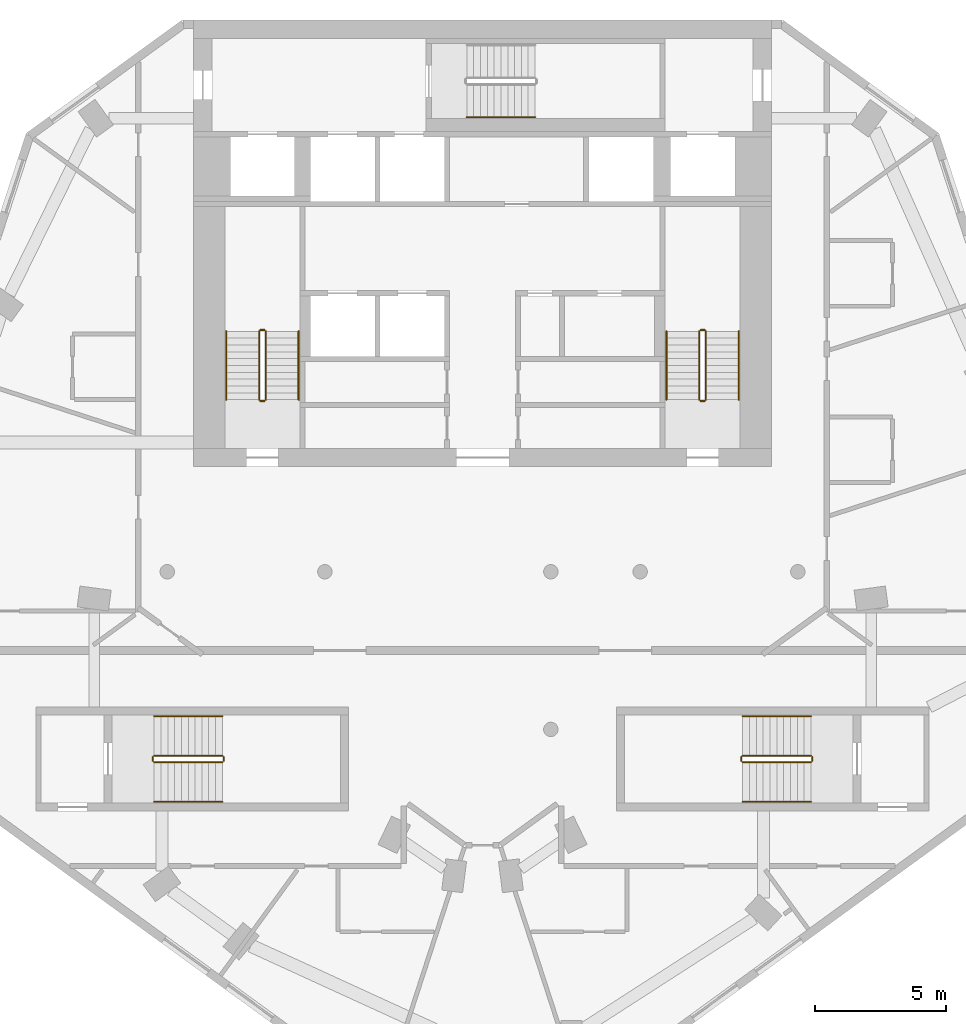
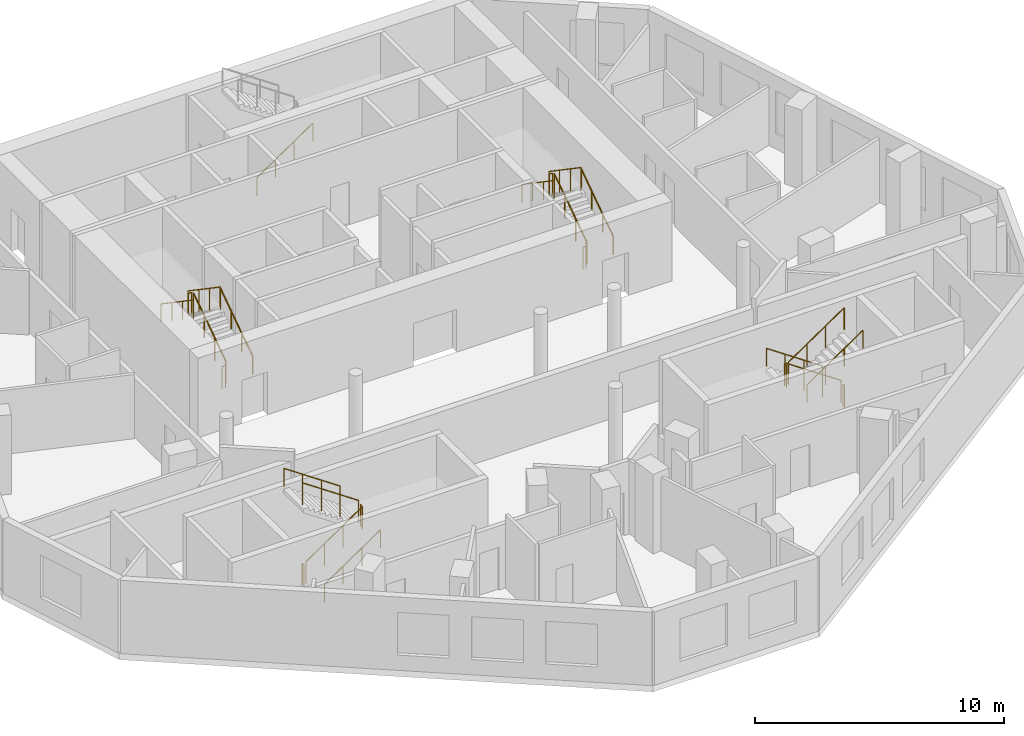
# One storey, part 7 of 8: 25 railings.
"""IFC4 building model written with IfcOpenShell, lengths in metres."""

from ifc_helpers import new_model, si_unit, direction, frame, origin, origin_2d, place, context, subcontext, project, spatial, circle, extrude, material, type_object, element, save


model = new_model("IFC4")

# Units and contexts
model_context = context("Model", 3, precision=1e-05, world=origin(), true_north=direction((0.0, 1.0)))
body_context = subcontext(model_context, "Body", "Model", "MODEL_VIEW")
ifc_project = project(units=[si_unit("LENGTHUNIT", "METRE"), si_unit("AREAUNIT", "SQUARE_METRE"), si_unit("VOLUMEUNIT", "CUBIC_METRE"), si_unit("PLANEANGLEUNIT", "RADIAN"), si_unit("MASSUNIT", "GRAM", prefix="KILO")], contexts=[model_context])

# Site, building, storey
site_placement = place(None, origin())
site = spatial("IfcSite", under=ifc_project, at=site_placement, CompositionType="ELEMENT")
building_placement = place(site_placement, origin())
building = spatial("IfcBuilding", under=site, at=building_placement, Name="White Candle Pilgrim Tower", CompositionType="ELEMENT")
storey_placement = place(building_placement, frame((0.0, 0.0, 275.60009765625)))
storey = spatial("IfcBuildingStorey", under=building, at=storey_placement, Name="L65", CompositionType="ELEMENT", Elevation=275.60009765625)

# Railings
ifc_material = material(Name="Stainless steel", Category="steel")
railing_type_1 = type_object("IfcRailingType", Name="Stair guard stainless steel 1100 mm", PredefinedType="GUARDRAIL", material=ifc_material)
railing_1_placement = place(storey_placement, frame((61.75, 73.550048828125, 0.17724609375)))
element("IfcRailing", 1, at=railing_1_placement, inside=storey, type_object=railing_type_1, Name="L65 ST1 stair guard 1", PredefinedType="GUARDRAIL", context=body_context, shape_type="SweptSolid", body=[
    extrude(circle(Radius=0.02392578125, at=origin_2d()), frame((0.0, 0.0, 1.076171875), z_axis=(0.0, 0.826215852431, 0.563353676824), x_axis=(-1.0, 0.0, 0.0)), (0.0, 0.0, 1.0), 3.146728515625),
    extrude(circle(Radius=0.02099609375, at=origin_2d()), origin(), (0.0, 0.0, 1.0), 1.052001953125),
    extrude(circle(Radius=0.02099609375, at=origin_2d()), frame((0.0, 0.86669921875, 0.5908203125)), (0.0, 0.0, 1.0), 1.052001953125),
    extrude(circle(Radius=0.02099609375, at=origin_2d()), frame((0.0, 1.733154296875, 1.181884765625)), (0.0, 0.0, 1.0), 1.052001953125),
    extrude(circle(Radius=0.02099609375, at=origin_2d()), frame((0.0, 2.599853515625, 1.772705078125)), (0.0, 0.0, 1.0), 1.052001953125),
])
railing_2_placement = place(storey_placement, frame((61.699951171875, 76.199951171875, 1.949951171875)))
element("IfcRailing", 2, at=railing_2_placement, inside=storey, type_object=railing_type_1, Name="L65 ST1 stair guard 2", PredefinedType="GUARDRAIL", context=body_context, shape_type="SweptSolid", body=[
    extrude(circle(Radius=0.02392578125, at=origin_2d()), frame((0.0, 0.0, 1.076171875), z_axis=(-1.0, 0.0, 0.0), x_axis=(0.0, -1.0, 0.0)), (0.0, 0.0, 1.0), 0.14990234375),
    extrude(circle(Radius=0.02099609375, at=origin_2d()), origin(), (0.0, 0.0, 1.0), 1.052001953125),
    extrude(circle(Radius=0.02099609375, at=origin_2d()), frame((-0.14990234375, 0.0, 0.0)), (0.0, 0.0, 1.0), 1.052001953125),
])
railing_3_placement = place(storey_placement, frame((61.5, 76.14990234375, 2.127197265625)))
element("IfcRailing", 3, at=railing_3_placement, inside=storey, type_object=railing_type_1, Name="L65 ST1 stair guard 3", PredefinedType="GUARDRAIL", context=body_context, shape_type="SweptSolid", body=[
    extrude(circle(Radius=0.02392578125, at=origin_2d()), frame((0.0, 0.0, 1.076171875), z_axis=(0.0, -0.826215852431, 0.563353676824), x_axis=(1.0, 0.0, 0.0)), (0.0, 0.0, 1.0), 3.146728515625),
    extrude(circle(Radius=0.02099609375, at=origin_2d()), origin(), (0.0, 0.0, 1.0), 1.052001953125),
    extrude(circle(Radius=0.02099609375, at=origin_2d()), frame((0.0, -0.86669921875, 0.5908203125)), (0.0, 0.0, 1.0), 1.052001953125),
    extrude(circle(Radius=0.02099609375, at=origin_2d()), frame((0.0, -1.733154296875, 1.181884765625)), (0.0, 0.0, 1.0), 1.052001953125),
    extrude(circle(Radius=0.02099609375, at=origin_2d()), frame((0.0, -2.599853515625, 1.772705078125)), (0.0, 0.0, 1.0), 1.052001953125),
])
railing_4_placement = place(storey_placement, frame((61.699951171875, 73.5, 0.0)))
element("IfcRailing", 4, at=railing_4_placement, inside=storey, type_object=railing_type_1, Name="L65 ST1 stair guard 4", PredefinedType="GUARDRAIL", context=body_context, shape_type="SweptSolid", body=[
    extrude(circle(Radius=0.02392578125, at=origin_2d()), frame((0.0, 0.0, 1.076171875), z_axis=(-1.0, 0.0, 0.0), x_axis=(0.0, -1.0, 0.0)), (0.0, 0.0, 1.0), 0.14990234375),
    extrude(circle(Radius=0.02099609375, at=origin_2d()), origin(), (0.0, 0.0, 1.0), 1.052001953125),
    extrude(circle(Radius=0.02099609375, at=origin_2d()), frame((-0.14990234375, 0.0, 0.0)), (0.0, 0.0, 1.0), 1.052001953125),
])
railing_5_placement = place(storey_placement, frame((78.5, 73.550048828125, 0.17724609375)))
element("IfcRailing", 5, at=railing_5_placement, inside=storey, type_object=railing_type_1, Name="L65 ST2 stair guard 1", PredefinedType="GUARDRAIL", context=body_context, shape_type="SweptSolid", body=[
    extrude(circle(Radius=0.02392578125, at=origin_2d()), frame((0.0, 0.0, 1.076171875), z_axis=(0.0, 0.826215852431, 0.563353676824), x_axis=(-1.0, 0.0, 0.0)), (0.0, 0.0, 1.0), 3.146728515625),
    extrude(circle(Radius=0.02099609375, at=origin_2d()), origin(), (0.0, 0.0, 1.0), 1.052001953125),
    extrude(circle(Radius=0.02099609375, at=origin_2d()), frame((0.0, 0.86669921875, 0.5908203125)), (0.0, 0.0, 1.0), 1.052001953125),
    extrude(circle(Radius=0.02099609375, at=origin_2d()), frame((0.0, 1.733154296875, 1.181884765625)), (0.0, 0.0, 1.0), 1.052001953125),
    extrude(circle(Radius=0.02099609375, at=origin_2d()), frame((0.0, 2.599853515625, 1.772705078125)), (0.0, 0.0, 1.0), 1.052001953125),
])
railing_6_placement = place(storey_placement, frame((78.449951171875, 76.199951171875, 1.949951171875)))
element("IfcRailing", 6, at=railing_6_placement, inside=storey, type_object=railing_type_1, Name="L65 ST2 stair guard 2", PredefinedType="GUARDRAIL", context=body_context, shape_type="SweptSolid", body=[
    extrude(circle(Radius=0.02392578125, at=origin_2d()), frame((0.0, 0.0, 1.076171875), z_axis=(-1.0, 0.0, 0.0), x_axis=(0.0, -1.0, 0.0)), (0.0, 0.0, 1.0), 0.14990234375),
    extrude(circle(Radius=0.02099609375, at=origin_2d()), origin(), (0.0, 0.0, 1.0), 1.052001953125),
    extrude(circle(Radius=0.02099609375, at=origin_2d()), frame((-0.14990234375, 0.0, 0.0)), (0.0, 0.0, 1.0), 1.052001953125),
])
railing_7_placement = place(storey_placement, frame((78.25, 76.14990234375, 2.127197265625)))
element("IfcRailing", 7, at=railing_7_placement, inside=storey, type_object=railing_type_1, Name="L65 ST2 stair guard 3", PredefinedType="GUARDRAIL", context=body_context, shape_type="SweptSolid", body=[
    extrude(circle(Radius=0.02392578125, at=origin_2d()), frame((0.0, 0.0, 1.076171875), z_axis=(0.0, -0.826215852431, 0.563353676824), x_axis=(1.0, 0.0, 0.0)), (0.0, 0.0, 1.0), 3.146728515625),
    extrude(circle(Radius=0.02099609375, at=origin_2d()), origin(), (0.0, 0.0, 1.0), 1.052001953125),
    extrude(circle(Radius=0.02099609375, at=origin_2d()), frame((0.0, -0.86669921875, 0.5908203125)), (0.0, 0.0, 1.0), 1.052001953125),
    extrude(circle(Radius=0.02099609375, at=origin_2d()), frame((0.0, -1.733154296875, 1.181884765625)), (0.0, 0.0, 1.0), 1.052001953125),
    extrude(circle(Radius=0.02099609375, at=origin_2d()), frame((0.0, -2.599853515625, 1.772705078125)), (0.0, 0.0, 1.0), 1.052001953125),
])
railing_8_placement = place(storey_placement, frame((78.449951171875, 73.5, 0.0)))
element("IfcRailing", 8, at=railing_8_placement, inside=storey, type_object=railing_type_1, Name="L65 ST2 stair guard 4", PredefinedType="GUARDRAIL", context=body_context, shape_type="SweptSolid", body=[
    extrude(circle(Radius=0.02392578125, at=origin_2d()), frame((0.0, 0.0, 1.076171875), z_axis=(-1.0, 0.0, 0.0), x_axis=(0.0, -1.0, 0.0)), (0.0, 0.0, 1.0), 0.14990234375),
    extrude(circle(Radius=0.02099609375, at=origin_2d()), origin(), (0.0, 0.0, 1.0), 1.052001953125),
    extrude(circle(Radius=0.02099609375, at=origin_2d()), frame((-0.14990234375, 0.0, 0.0)), (0.0, 0.0, 1.0), 1.052001953125),
])
railing_9_placement = place(storey_placement, frame((82.5, 60.0, 0.17724609375)))
element("IfcRailing", 9, at=railing_9_placement, inside=storey, type_object=railing_type_1, Name="L65 ST4 stair guard 1", PredefinedType="GUARDRAIL", context=body_context, shape_type="SweptSolid", body=[
    extrude(circle(Radius=0.02392578125, at=origin_2d()), frame((0.0, 0.0, 1.076171875), z_axis=(-0.826240473404, 0.0, 0.563317565952), x_axis=(0.0, -1.0, 0.0)), (0.0, 0.0, 1.0), 3.14697265625),
    extrude(circle(Radius=0.02099609375, at=origin_2d()), origin(), (0.0, 0.0, 1.0), 1.052001953125),
    extrude(circle(Radius=0.02099609375, at=origin_2d()), frame((-0.86669921875, 0.0, 0.5908203125)), (0.0, 0.0, 1.0), 1.052001953125),
    extrude(circle(Radius=0.02099609375, at=origin_2d()), frame((-1.7333984375, 0.0, 1.181884765625)), (0.0, 0.0, 1.0), 1.052001953125),
    extrude(circle(Radius=0.02099609375, at=origin_2d()), frame((-2.60009765625, 0.0, 1.772705078125)), (0.0, 0.0, 1.0), 1.052001953125),
])
railing_10_placement = place(storey_placement, frame((79.85009765625, 59.949951171875, 1.949951171875)))
element("IfcRailing", 10, at=railing_10_placement, inside=storey, type_object=railing_type_1, Name="L65 ST4 stair guard 2", PredefinedType="GUARDRAIL", context=body_context, shape_type="SweptSolid", body=[
    extrude(circle(Radius=0.02392578125, at=origin_2d()), frame((0.0, 0.0, 1.076171875), z_axis=(0.0, -1.0, 0.0), x_axis=(1.0, 0.0, 0.0)), (0.0, 0.0, 1.0), 0.14990234375),
    extrude(circle(Radius=0.02099609375, at=origin_2d()), origin(), (0.0, 0.0, 1.0), 1.052001953125),
    extrude(circle(Radius=0.02099609375, at=origin_2d()), frame((0.0, -0.14990234375, 0.0)), (0.0, 0.0, 1.0), 1.052001953125),
])
railing_11_placement = place(storey_placement, frame((79.89990234375, 59.75, 2.127197265625)))
element("IfcRailing", 11, at=railing_11_placement, inside=storey, type_object=railing_type_1, Name="L65 ST4 stair guard 3", PredefinedType="GUARDRAIL", context=body_context, shape_type="SweptSolid", body=[
    extrude(circle(Radius=0.02392578125, at=origin_2d()), frame((0.0, 0.0, 1.076171875), z_axis=(0.826240473404, 0.0, 0.563317565952), x_axis=(0.0, 1.0, 0.0)), (0.0, 0.0, 1.0), 3.14697265625),
    extrude(circle(Radius=0.02099609375, at=origin_2d()), origin(), (0.0, 0.0, 1.0), 1.052001953125),
    extrude(circle(Radius=0.02099609375, at=origin_2d()), frame((0.86669921875, 0.0, 0.5908203125)), (0.0, 0.0, 1.0), 1.052001953125),
    extrude(circle(Radius=0.02099609375, at=origin_2d()), frame((1.7333984375, 0.0, 1.181884765625)), (0.0, 0.0, 1.0), 1.052001953125),
    extrude(circle(Radius=0.02099609375, at=origin_2d()), frame((2.60009765625, 0.0, 1.772705078125)), (0.0, 0.0, 1.0), 1.052001953125),
])
railing_12_placement = place(storey_placement, frame((82.550048828125, 59.949951171875, 0.0)))
element("IfcRailing", 12, at=railing_12_placement, inside=storey, type_object=railing_type_1, Name="L65 ST4 stair guard 4", PredefinedType="GUARDRAIL", context=body_context, shape_type="SweptSolid", body=[
    extrude(circle(Radius=0.02392578125, at=origin_2d()), frame((0.0, 0.0, 1.076171875), z_axis=(0.0, -1.0, 0.0), x_axis=(1.0, 0.0, 0.0)), (0.0, 0.0, 1.0), 0.14990234375),
    extrude(circle(Radius=0.02099609375, at=origin_2d()), origin(), (0.0, 0.0, 1.0), 1.052001953125),
    extrude(circle(Radius=0.02099609375, at=origin_2d()), frame((0.0, -0.14990234375, 0.0)), (0.0, 0.0, 1.0), 1.052001953125),
])
railing_13_placement = place(storey_placement, frame((57.5, 59.75, 0.17724609375)))
element("IfcRailing", 13, at=railing_13_placement, inside=storey, type_object=railing_type_1, Name="L65 ST5 stair guard 1", PredefinedType="GUARDRAIL", context=body_context, shape_type="SweptSolid", body=[
    extrude(circle(Radius=0.02392578125, at=origin_2d()), frame((0.0, 0.0, 1.076171875), z_axis=(0.826240473404, 0.0, 0.563317565952), x_axis=(0.0, 1.0, 0.0)), (0.0, 0.0, 1.0), 3.14697265625),
    extrude(circle(Radius=0.02099609375, at=origin_2d()), origin(), (0.0, 0.0, 1.0), 1.052001953125),
    extrude(circle(Radius=0.02099609375, at=origin_2d()), frame((0.86669921875, 0.0, 0.5908203125)), (0.0, 0.0, 1.0), 1.052001953125),
    extrude(circle(Radius=0.02099609375, at=origin_2d()), frame((1.7333984375, 0.0, 1.181884765625)), (0.0, 0.0, 1.0), 1.052001953125),
    extrude(circle(Radius=0.02099609375, at=origin_2d()), frame((2.60009765625, 0.0, 1.772705078125)), (0.0, 0.0, 1.0), 1.052001953125),
])
railing_14_placement = place(storey_placement, frame((60.14990234375, 59.800048828125, 1.949951171875)))
element("IfcRailing", 14, at=railing_14_placement, inside=storey, type_object=railing_type_1, Name="L65 ST5 stair guard 2", PredefinedType="GUARDRAIL", context=body_context, shape_type="SweptSolid", body=[
    extrude(circle(Radius=0.02392578125, at=origin_2d()), frame((0.0, 0.0, 1.076171875), z_axis=(0.0, 1.0, 0.0), x_axis=(-1.0, 0.0, 0.0)), (0.0, 0.0, 1.0), 0.14990234375),
    extrude(circle(Radius=0.02099609375, at=origin_2d()), origin(), (0.0, 0.0, 1.0), 1.052001953125),
    extrude(circle(Radius=0.02099609375, at=origin_2d()), frame((0.0, 0.14990234375, 0.0)), (0.0, 0.0, 1.0), 1.052001953125),
])
railing_15_placement = place(storey_placement, frame((60.10009765625, 60.0, 2.127197265625)))
element("IfcRailing", 15, at=railing_15_placement, inside=storey, type_object=railing_type_1, Name="L65 ST5 stair guard 3", PredefinedType="GUARDRAIL", context=body_context, shape_type="SweptSolid", body=[
    extrude(circle(Radius=0.02392578125, at=origin_2d()), frame((0.0, 0.0, 1.076171875), z_axis=(-0.826240473404, 0.0, 0.563317565952), x_axis=(0.0, -1.0, 0.0)), (0.0, 0.0, 1.0), 3.14697265625),
    extrude(circle(Radius=0.02099609375, at=origin_2d()), origin(), (0.0, 0.0, 1.0), 1.052001953125),
    extrude(circle(Radius=0.02099609375, at=origin_2d()), frame((-0.86669921875, 0.0, 0.5908203125)), (0.0, 0.0, 1.0), 1.052001953125),
    extrude(circle(Radius=0.02099609375, at=origin_2d()), frame((-1.7333984375, 0.0, 1.181884765625)), (0.0, 0.0, 1.0), 1.052001953125),
    extrude(circle(Radius=0.02099609375, at=origin_2d()), frame((-2.60009765625, 0.0, 1.772705078125)), (0.0, 0.0, 1.0), 1.052001953125),
])
railing_16_placement = place(storey_placement, frame((57.449951171875, 59.800048828125, 0.0)))
element("IfcRailing", 16, at=railing_16_placement, inside=storey, type_object=railing_type_1, Name="L65 ST5 stair guard 4", PredefinedType="GUARDRAIL", context=body_context, shape_type="SweptSolid", body=[
    extrude(circle(Radius=0.02392578125, at=origin_2d()), frame((0.0, 0.0, 1.076171875), z_axis=(0.0, 1.0, 0.0), x_axis=(-1.0, 0.0, 0.0)), (0.0, 0.0, 1.0), 0.14990234375),
    extrude(circle(Radius=0.02099609375, at=origin_2d()), origin(), (0.0, 0.0, 1.0), 1.052001953125),
    extrude(circle(Radius=0.02099609375, at=origin_2d()), frame((0.0, 0.14990234375, 0.0)), (0.0, 0.0, 1.0), 1.052001953125),
])
railing_type_2 = type_object("IfcRailingType", Name="Stair handrail stainless steel", PredefinedType="HANDRAIL", material=ifc_material)
railing_17_placement = place(storey_placement, frame((63.0, 73.550048828125, 0.17724609375)))
element("IfcRailing", 17, at=railing_17_placement, inside=storey, type_object=railing_type_2, Name="L65 ST1 stair handrail 1", PredefinedType="HANDRAIL", context=body_context, shape_type="SweptSolid", body=[
    extrude(circle(Radius=0.02392578125, at=origin_2d()), frame((0.0, 0.0, 0.8759765625), z_axis=(0.0, 0.826215852431, 0.563353676824), x_axis=(-1.0, 0.0, 0.0)), (0.0, 0.0, 1.0), 3.146728515625),
    extrude(circle(Radius=0.02099609375, at=origin_2d()), origin(), (0.0, 0.0, 1.0), 0.851806640625),
    extrude(circle(Radius=0.02099609375, at=origin_2d()), frame((0.0, 0.86669921875, 0.5908203125)), (0.0, 0.0, 1.0), 0.851806640625),
    extrude(circle(Radius=0.02099609375, at=origin_2d()), frame((0.0, 1.733154296875, 1.181884765625)), (0.0, 0.0, 1.0), 0.851806640625),
    extrude(circle(Radius=0.02099609375, at=origin_2d()), frame((0.0, 2.599853515625, 1.772705078125)), (0.0, 0.0, 1.0), 0.851806640625),
])
railing_18_placement = place(storey_placement, frame((60.25, 76.14990234375, 2.127197265625)))
element("IfcRailing", 18, at=railing_18_placement, inside=storey, type_object=railing_type_2, Name="L65 ST1 stair handrail 2", PredefinedType="HANDRAIL", context=body_context, shape_type="SweptSolid", body=[
    extrude(circle(Radius=0.02392578125, at=origin_2d()), frame((0.0, 0.0, 0.8759765625), z_axis=(0.0, -0.826215852431, 0.563353676824), x_axis=(1.0, 0.0, 0.0)), (0.0, 0.0, 1.0), 3.146728515625),
    extrude(circle(Radius=0.02099609375, at=origin_2d()), origin(), (0.0, 0.0, 1.0), 0.851806640625),
    extrude(circle(Radius=0.02099609375, at=origin_2d()), frame((0.0, -0.86669921875, 0.5908203125)), (0.0, 0.0, 1.0), 0.851806640625),
    extrude(circle(Radius=0.02099609375, at=origin_2d()), frame((0.0, -1.733154296875, 1.181884765625)), (0.0, 0.0, 1.0), 0.851806640625),
    extrude(circle(Radius=0.02099609375, at=origin_2d()), frame((0.0, -2.599853515625, 1.772705078125)), (0.0, 0.0, 1.0), 0.851806640625),
])
railing_19_placement = place(storey_placement, frame((79.75, 73.550048828125, 0.17724609375)))
element("IfcRailing", 19, at=railing_19_placement, inside=storey, type_object=railing_type_2, Name="L65 ST2 stair handrail 1", PredefinedType="HANDRAIL", context=body_context, shape_type="SweptSolid", body=[
    extrude(circle(Radius=0.02392578125, at=origin_2d()), frame((0.0, 0.0, 0.8759765625), z_axis=(0.0, 0.826215852431, 0.563353676824), x_axis=(-1.0, 0.0, 0.0)), (0.0, 0.0, 1.0), 3.146728515625),
    extrude(circle(Radius=0.02099609375, at=origin_2d()), origin(), (0.0, 0.0, 1.0), 0.851806640625),
    extrude(circle(Radius=0.02099609375, at=origin_2d()), frame((0.0, 0.86669921875, 0.5908203125)), (0.0, 0.0, 1.0), 0.851806640625),
    extrude(circle(Radius=0.02099609375, at=origin_2d()), frame((0.0, 1.733154296875, 1.181884765625)), (0.0, 0.0, 1.0), 0.851806640625),
    extrude(circle(Radius=0.02099609375, at=origin_2d()), frame((0.0, 2.599853515625, 1.772705078125)), (0.0, 0.0, 1.0), 0.851806640625),
])
railing_20_placement = place(storey_placement, frame((77.0, 76.14990234375, 2.127197265625)))
element("IfcRailing", 20, at=railing_20_placement, inside=storey, type_object=railing_type_2, Name="L65 ST2 stair handrail 2", PredefinedType="HANDRAIL", context=body_context, shape_type="SweptSolid", body=[
    extrude(circle(Radius=0.02392578125, at=origin_2d()), frame((0.0, 0.0, 0.8759765625), z_axis=(0.0, -0.826215852431, 0.563353676824), x_axis=(1.0, 0.0, 0.0)), (0.0, 0.0, 1.0), 3.146728515625),
    extrude(circle(Radius=0.02099609375, at=origin_2d()), origin(), (0.0, 0.0, 1.0), 0.851806640625),
    extrude(circle(Radius=0.02099609375, at=origin_2d()), frame((0.0, -0.86669921875, 0.5908203125)), (0.0, 0.0, 1.0), 0.851806640625),
    extrude(circle(Radius=0.02099609375, at=origin_2d()), frame((0.0, -1.733154296875, 1.181884765625)), (0.0, 0.0, 1.0), 0.851806640625),
    extrude(circle(Radius=0.02099609375, at=origin_2d()), frame((0.0, -2.599853515625, 1.772705078125)), (0.0, 0.0, 1.0), 0.851806640625),
])
railing_21_placement = place(storey_placement, frame((69.39990234375, 84.300048828125, 0.17724609375)))
element("IfcRailing", 21, at=railing_21_placement, inside=storey, type_object=railing_type_2, Name="L65 ST3 stair handrail 1", PredefinedType="HANDRAIL", context=body_context, shape_type="SweptSolid", body=[
    extrude(circle(Radius=0.02392578125, at=origin_2d()), frame((0.0, 0.0, 0.8759765625), z_axis=(0.826240473404, 0.0, 0.563317565952), x_axis=(0.0, 1.0, 0.0)), (0.0, 0.0, 1.0), 3.14697265625),
    extrude(circle(Radius=0.02099609375, at=origin_2d()), origin(), (0.0, 0.0, 1.0), 0.851806640625),
    extrude(circle(Radius=0.02099609375, at=origin_2d()), frame((0.86669921875, 0.0, 0.5908203125)), (0.0, 0.0, 1.0), 0.851806640625),
    extrude(circle(Radius=0.02099609375, at=origin_2d()), frame((1.7333984375, 0.0, 1.181884765625)), (0.0, 0.0, 1.0), 0.851806640625),
    extrude(circle(Radius=0.02099609375, at=origin_2d()), frame((2.60009765625, 0.0, 1.772705078125)), (0.0, 0.0, 1.0), 0.851806640625),
])
railing_22_placement = place(storey_placement, frame((82.5, 61.5, 0.17724609375)))
element("IfcRailing", 22, at=railing_22_placement, inside=storey, type_object=railing_type_2, Name="L65 ST4 stair handrail 1", PredefinedType="HANDRAIL", context=body_context, shape_type="SweptSolid", body=[
    extrude(circle(Radius=0.02392578125, at=origin_2d()), frame((0.0, 0.0, 0.8759765625), z_axis=(-0.826240473404, 0.0, 0.563317565952), x_axis=(0.0, -1.0, 0.0)), (0.0, 0.0, 1.0), 3.14697265625),
    extrude(circle(Radius=0.02099609375, at=origin_2d()), origin(), (0.0, 0.0, 1.0), 0.851806640625),
    extrude(circle(Radius=0.02099609375, at=origin_2d()), frame((-0.86669921875, 0.0, 0.5908203125)), (0.0, 0.0, 1.0), 0.851806640625),
    extrude(circle(Radius=0.02099609375, at=origin_2d()), frame((-1.7333984375, 0.0, 1.181884765625)), (0.0, 0.0, 1.0), 0.851806640625),
    extrude(circle(Radius=0.02099609375, at=origin_2d()), frame((-2.60009765625, 0.0, 1.772705078125)), (0.0, 0.0, 1.0), 0.851806640625),
])
for number, where, name in (
    (23, (79.89990234375, 58.25, 2.127197265625), "L65 ST4 stair handrail 2"),
    (24, (57.5, 58.25, 0.17724609375), "L65 ST5 stair handrail 1"),
):
    element("IfcRailing", number, at=place(storey_placement, frame(where)), inside=storey, type_object=railing_type_2, Name=name, PredefinedType="HANDRAIL", context=body_context, shape_type="SweptSolid", body=[
        extrude(circle(Radius=0.02392578125, at=origin_2d()), frame((0.0, 0.0, 0.8759765625), z_axis=(0.826240473404, 0.0, 0.563317565952), x_axis=(0.0, 1.0, 0.0)), (0.0, 0.0, 1.0), 3.14697265625),
        extrude(circle(Radius=0.02099609375, at=origin_2d()), origin(), (0.0, 0.0, 1.0), 0.851806640625),
        extrude(circle(Radius=0.02099609375, at=origin_2d()), frame((0.86669921875, 0.0, 0.5908203125)), (0.0, 0.0, 1.0), 0.851806640625),
        extrude(circle(Radius=0.02099609375, at=origin_2d()), frame((1.7333984375, 0.0, 1.181884765625)), (0.0, 0.0, 1.0), 0.851806640625),
        extrude(circle(Radius=0.02099609375, at=origin_2d()), frame((2.60009765625, 0.0, 1.772705078125)), (0.0, 0.0, 1.0), 0.851806640625),
    ])
railing_23_placement = place(storey_placement, frame((60.10009765625, 61.5, 2.127197265625)))
element("IfcRailing", 25, at=railing_23_placement, inside=storey, type_object=railing_type_2, Name="L65 ST5 stair handrail 2", PredefinedType="HANDRAIL", context=body_context, shape_type="SweptSolid", body=[
    extrude(circle(Radius=0.02392578125, at=origin_2d()), frame((0.0, 0.0, 0.8759765625), z_axis=(-0.826240473404, 0.0, 0.563317565952), x_axis=(0.0, -1.0, 0.0)), (0.0, 0.0, 1.0), 3.14697265625),
    extrude(circle(Radius=0.02099609375, at=origin_2d()), origin(), (0.0, 0.0, 1.0), 0.851806640625),
    extrude(circle(Radius=0.02099609375, at=origin_2d()), frame((-0.86669921875, 0.0, 0.5908203125)), (0.0, 0.0, 1.0), 0.851806640625),
    extrude(circle(Radius=0.02099609375, at=origin_2d()), frame((-1.7333984375, 0.0, 1.181884765625)), (0.0, 0.0, 1.0), 0.851806640625),
    extrude(circle(Radius=0.02099609375, at=origin_2d()), frame((-2.60009765625, 0.0, 1.772705078125)), (0.0, 0.0, 1.0), 0.851806640625),
])

save(model, "model.ifc")
